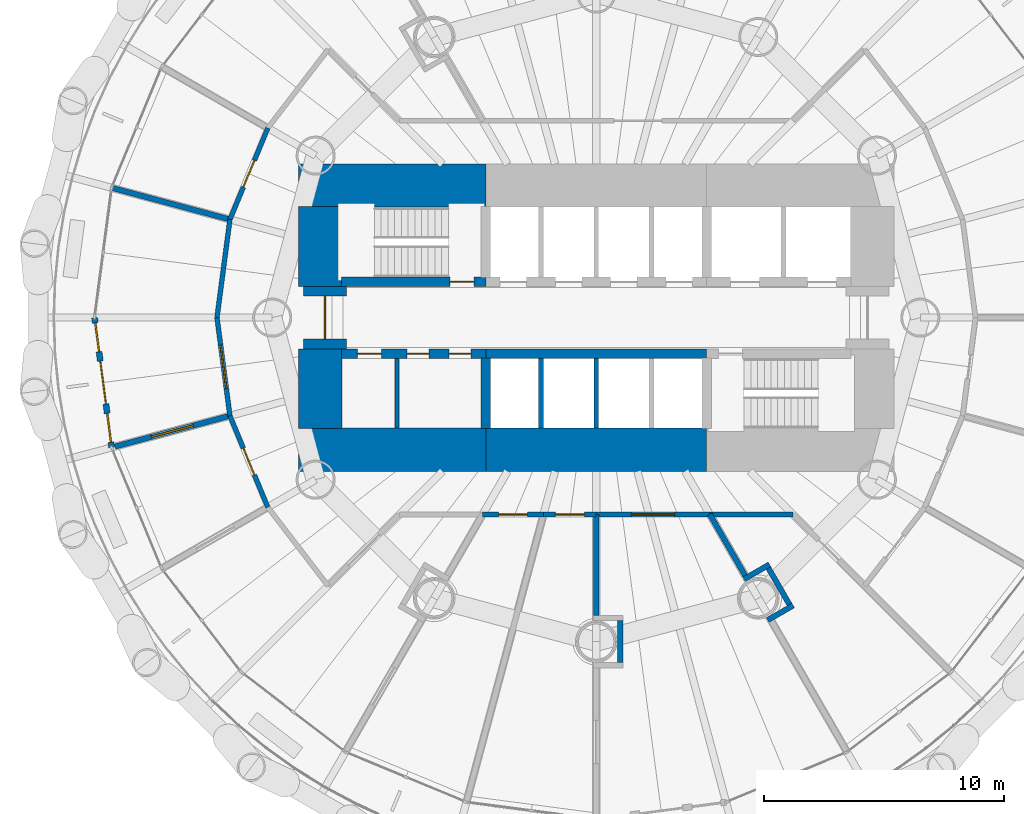
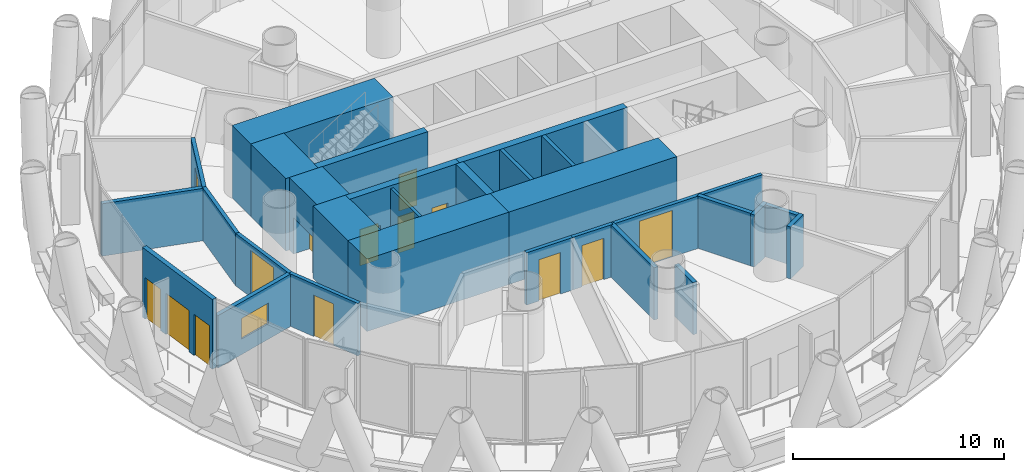
# One storey, part 10 of 15: 30 walls, 12 doors, 3 windows, 15 openings.
"""IFC4 building model written with IfcOpenShell, lengths in metres."""

from ifc_helpers import new_model, si_unit, direction, frame, frame_2d, origin, place, context, subcontext, project, spatial, rectangle, extrude, material, layer, layer_set, type_object, element, fill, save


model = new_model("IFC4")

# Units and contexts
model_context = context("Model", 3, precision=1e-05, world=origin(), true_north=direction((0.0, 1.0)))
body_context = subcontext(model_context, "Body", "Model", "MODEL_VIEW")
ifc_project = project(units=[si_unit("LENGTHUNIT", "METRE"), si_unit("AREAUNIT", "SQUARE_METRE"), si_unit("VOLUMEUNIT", "CUBIC_METRE"), si_unit("PLANEANGLEUNIT", "RADIAN"), si_unit("MASSUNIT", "GRAM", prefix="KILO")], contexts=[model_context])

# Site, building, storey
site_placement = place(None, origin())
site = spatial("IfcSite", under=ifc_project, at=site_placement, CompositionType="ELEMENT")
building_placement = place(site_placement, origin())
building = spatial("IfcBuilding", under=site, at=building_placement, Name="Qaws Media Tower", CompositionType="ELEMENT")
storey_placement = place(building_placement, frame((0.0, 0.0, 30.199951171875)))
storey = spatial("IfcBuildingStorey", under=building, at=storey_placement, Name="L05", CompositionType="ELEMENT", Elevation=30.199951171875)

# Wall
ifc_material_1 = material(Name="Twin metal stud frames, two layers gypsum board each side, insulated, Rw 55", Category="gypsum")
ifc_layer_1 = layer(ifc_material_1, 0.22509765625)
ifc_layer_set_1 = layer_set([ifc_layer_1], Name="Acoustic twin-stud partition 225 Rw 55")
wall_type_1 = type_object("IfcWallType", Name="Acoustic twin-stud partition 225 Rw 55", PredefinedType="PARTITIONING", material=ifc_layer_set_1)
wall_1_placement = place(storey_placement, frame((44.73828125, 54.08935546875, 0.0), z_axis=(0.0, 0.0, 1.0), x_axis=(-0.965926729572, 0.258815673981, 0.0)))
element("IfcWall", 1, at=wall_1_placement, inside=storey, type_object=wall_type_1, Name="W002 IW6 partition L05", PredefinedType="PARTITIONING", context=body_context, shape_type="SweptSolid", body=[
    extrude(rectangle(XDim=5.059814453125, YDim=0.22509765625, at=frame_2d((2.52978515625, 0.0))), origin(), (0.0, 0.0, 1.0), 3.0400390625),
])

# Wall, opening, window
wall_2_placement = place(storey_placement, frame((44.73828125, 45.91064453125, 0.0), z_axis=(0.0, 0.0, 1.0), x_axis=(-0.965925420227, -0.258820560544, 0.0)))
wall_2 = element("IfcWall", 2, at=wall_2_placement, inside=storey, type_object=wall_type_1, Name="W001 IW6 partition L05", PredefinedType="PARTITIONING", context=body_context, shape_type="SweptSolid", body=[
    extrude(rectangle(XDim=4.959716796875, YDim=0.22509765625, at=frame_2d((2.47998046875, 0.0))), origin(), (0.0, 0.0, 1.0), 3.0400390625),
])
opening_1_placement = place(wall_2_placement, frame((1.580078125, 0.0, 0.89990234375)))
opening_1 = element("IfcOpeningElement", 3, at=opening_1_placement, cuts=wall_2, Name="Opening W8", PredefinedType="OPENING", context=body_context, shape_type="SweptSolid", body=[
    extrude(rectangle(XDim=1.800048828125, YDim=1.199951171875, at=frame_2d((0.89990234375, 0.60009765625))), frame((0.0, 0.12255859375, 0.0), z_axis=(0.0, -1.0, 0.0), x_axis=(1.0, 0.0, 0.0)), (0.0, 0.0, 1.0), 0.2451171875),
])
ifc_material_2 = material(Name="Laminated acoustic double glazing, Rw 50, in steel frame", Category="steel")
window_type_1 = type_object("IfcWindowType", Name="Control room observation window 1800x1200", PartitioningType="SINGLE_PANEL", PredefinedType="WINDOW", material=ifc_material_2)
window_1_placement = place(opening_1_placement, origin())
window_1 = element("IfcWindow", 4, at=window_1_placement, inside=storey, type_object=window_type_1, Name="W8 control room observation window L05", OverallHeight=1.199951171875, OverallWidth=1.800048828125, PartitioningType="SINGLE_PANEL", PredefinedType="WINDOW", context=body_context, shape_type="SweptSolid", body=[
    extrude(rectangle(XDim=1.800048828125, YDim=1.199951171875, at=frame_2d((0.89990234375, 0.60009765625))), frame((0.0, 0.030029296875, 0.0), z_axis=(0.0, -1.0, 0.0), x_axis=(1.0, 0.0, 0.0)), (0.0, 0.0, 1.0), 0.06005859375),
])
fill(opening_1, window_1)

# Walls
wall_3_placement = place(storey_placement, frame((60.99560546875, 37.373046875, 0.0), z_axis=(0.0, 0.0, 1.0), x_axis=(0.0, -1.0, 0.0)))
element("IfcWall", 5, at=wall_3_placement, inside=storey, type_object=wall_type_1, Name="W015 IW6 partition return L05", PredefinedType="PARTITIONING", context=body_context, shape_type="SweptSolid", body=[
    extrude(rectangle(XDim=1.74609375, YDim=0.22509765625, at=frame_2d((0.873046875, 0.0))), origin(), (0.0, 0.0, 1.0), 3.02001953125),
])
wall_4_placement = place(storey_placement, frame((60.0, 41.800048828125, 0.0), z_axis=(0.0, 0.0, 1.0), x_axis=(0.0, -1.0, 0.0)))
element("IfcWall", 6, at=wall_4_placement, inside=storey, type_object=wall_type_1, Name="W014 IW6 partition L05", PredefinedType="PARTITIONING", context=body_context, shape_type="SweptSolid", body=[
    extrude(rectangle(XDim=4.2021484375, YDim=0.22509765625, at=frame_2d((2.10107421875, 0.0))), origin(), (0.0, 0.0, 1.0), 3.0400390625),
])
wall_5_placement = place(storey_placement, frame((66.159912109375, 39.10595703125, 0.0), z_axis=(0.0, 0.0, 1.0), x_axis=(0.866055662726, 0.499947586314, 0.0)))
element("IfcWall", 7, at=wall_5_placement, inside=storey, type_object=wall_type_1, Name="W017 IW6 partition return L05", PredefinedType="PARTITIONING", context=body_context, shape_type="SweptSolid", body=[
    extrude(rectangle(XDim=1.220458984375, YDim=0.22509765625, at=frame_2d((0.6103515625, 0.0))), origin(), (0.0, 0.0, 1.0), 3.02001953125),
])
wall_6_placement = place(storey_placement, frame((67.145263671875, 37.39892578125, 0.0), z_axis=(0.0, 0.0, 1.0), x_axis=(0.866019052629, 0.500011000363, 0.0)))
element("IfcWall", 8, at=wall_6_placement, inside=storey, type_object=wall_type_1, Name="W018 IW6 partition return L05", PredefinedType="PARTITIONING", context=body_context, shape_type="SweptSolid", body=[
    extrude(rectangle(XDim=1.220703125, YDim=0.22509765625, at=frame_2d((0.6103515625, 0.0))), origin(), (0.0, 0.0, 1.0), 3.02001953125),
])
wall_7_placement = place(storey_placement, frame((67.175537109375, 39.5625, 0.0), z_axis=(0.0, 0.0, 1.0), x_axis=(0.499988720078, -0.866031916153, 0.0)))
element("IfcWall", 9, at=wall_7_placement, inside=storey, type_object=wall_type_1, Name="W019 IW6 partition return L05", PredefinedType="PARTITIONING", context=body_context, shape_type="SweptSolid", body=[
    extrude(rectangle(XDim=1.74609375, YDim=0.22509765625, at=frame_2d((0.873046875, 0.0))), origin(), (0.0, 0.0, 1.0), 3.02001953125),
])
wall_8_placement = place(storey_placement, frame((64.72998046875, 41.807373046875, 0.0), z_axis=(0.0, 0.0, 1.0), x_axis=(0.49998584623, -0.866033575313, 0.0)))
element("IfcWall", 10, at=wall_8_placement, inside=storey, type_object=wall_type_1, Name="W016 IW6 partition L05", PredefinedType="PARTITIONING", context=body_context, shape_type="SweptSolid", body=[
    extrude(rectangle(XDim=2.94189453125, YDim=0.22509765625, at=frame_2d((1.470947265625, 0.0))), origin(), (0.0, 0.0, 1.0), 3.0400390625),
])

# Wall, openings, door, windows
ifc_material_3 = material(Name="Precast concrete, exposed finish", Category="concrete")
ifc_layer_2 = layer(ifc_material_3, 0.25)
ifc_layer_set_2 = layer_set([ifc_layer_2], Name="Balcony door wall 250")
wall_type_2 = type_object("IfcWallType", Name="Balcony door wall 250", PredefinedType="SOLIDWALL", material=ifc_layer_set_2)
wall_9_placement = place(storey_placement, frame((39.10009765625, 50.0, 0.0), z_axis=(0.0, 0.0, 1.0), x_axis=(0.130525119492, -0.991445002601, 0.0)))
wall_9 = element("IfcWall", 11, at=wall_9_placement, inside=storey, type_object=wall_type_2, Name="W109 EW1 balcony door wall L05-13", PredefinedType="SOLIDWALL", context=body_context, shape_type="SweptSolid", body=[
    extrude(rectangle(XDim=5.4560546875, YDim=0.25, at=frame_2d((2.72802734375, 0.0))), origin(), (0.0, 0.0, 1.0), 4.0400390625),
])
opening_2_placement = place(wall_9_placement, frame((1.827880859375, 0.0, 0.0)))
opening_2 = element("IfcOpeningElement", 12, at=opening_2_placement, cuts=wall_9, Name="Opening D7", PredefinedType="OPENING", context=body_context, shape_type="SweptSolid", body=[
    extrude(rectangle(XDim=1.800048828125, YDim=2.39990234375, at=frame_2d((0.89990234375, 1.199951171875))), frame((0.0, 0.135009765625, 0.0), z_axis=(0.0, -1.0, 0.0), x_axis=(1.0, 0.0, 0.0)), (0.0, 0.0, 1.0), 0.27001953125),
])
opening_3_placement = place(wall_9_placement, frame((0.22802734375, 0.0, 0.0)))
opening_3 = element("IfcOpeningElement", 13, at=opening_3_placement, cuts=wall_9, Name="Opening W1", PredefinedType="OPENING", context=body_context, shape_type="SweptSolid", body=[
    extrude(rectangle(XDim=1.199951171875, YDim=2.39990234375, at=frame_2d((0.60009765625, 1.199951171875))), frame((0.0, 0.135009765625, 0.0), z_axis=(0.0, -1.0, 0.0), x_axis=(1.0, 0.0, 0.0)), (0.0, 0.0, 1.0), 0.27001953125),
])
opening_4_placement = place(wall_9_placement, frame((4.028076171875, 0.0, 0.0)))
opening_4 = element("IfcOpeningElement", 14, at=opening_4_placement, cuts=wall_9, Name="Opening W1", PredefinedType="OPENING", context=body_context, shape_type="SweptSolid", body=[
    extrude(rectangle(XDim=1.199951171875, YDim=2.39990234375, at=frame_2d((0.60009765625, 1.199951171875))), frame((0.0, 0.135009765625, 0.0), z_axis=(0.0, -1.0, 0.0), x_axis=(1.0, 0.0, 0.0)), (0.0, 0.0, 1.0), 0.27001953125),
])
ifc_material_4 = material(Name="Aluminium and clear glass", Category="aluminium")
door_type_1 = type_object("IfcDoorType", Name="Balcony door pair 1800", OperationType="DOUBLE_DOOR_SLIDING", PredefinedType="DOOR", material=ifc_material_4)
door_1_placement = place(opening_2_placement, origin())
door_1 = element("IfcDoor", 15, at=door_1_placement, inside=storey, type_object=door_type_1, Name="D7 balcony door L05-13 in wall W109", OperationType="DOUBLE_DOOR_SLIDING", OverallHeight=2.39990234375, OverallWidth=1.800048828125, PredefinedType="DOOR", context=body_context, shape_type="SweptSolid", body=[
    extrude(rectangle(XDim=1.800048828125, YDim=2.39990234375, at=frame_2d((0.89990234375, 1.199951171875))), frame((0.0, 0.02490234375, 0.0), z_axis=(0.0, -1.0, 0.0), x_axis=(1.0, 0.0, 0.0)), (0.0, 0.0, 1.0), 0.050048828125),
])
fill(opening_2, door_1)
ifc_material_5 = material(Name="Aluminium and clear glass", Category="aluminium")
window_type_2 = type_object("IfcWindowType", Name="Balcony side window 1200", PartitioningType="SINGLE_PANEL", PredefinedType="WINDOW", material=ifc_material_5)
window_2_placement = place(opening_3_placement, origin())
window_2 = element("IfcWindow", 16, at=window_2_placement, inside=storey, type_object=window_type_2, Name="W1 balcony side light L05-13L", OverallHeight=2.39990234375, OverallWidth=1.199951171875, PartitioningType="SINGLE_PANEL", PredefinedType="WINDOW", context=body_context, shape_type="SweptSolid", body=[
    extrude(rectangle(XDim=1.199951171875, YDim=2.39990234375, at=frame_2d((0.60009765625, 1.199951171875))), frame((0.0, 0.030029296875, 0.0), z_axis=(0.0, -1.0, 0.0), x_axis=(1.0, 0.0, 0.0)), (0.0, 0.0, 1.0), 0.06005859375),
])
fill(opening_3, window_2)
window_3_placement = place(opening_4_placement, origin())
window_3 = element("IfcWindow", 17, at=window_3_placement, inside=storey, type_object=window_type_2, Name="W1 balcony side light L05-13R", OverallHeight=2.39990234375, OverallWidth=1.199951171875, PartitioningType="SINGLE_PANEL", PredefinedType="WINDOW", context=body_context, shape_type="SweptSolid", body=[
    extrude(rectangle(XDim=1.199951171875, YDim=2.39990234375, at=frame_2d((0.60009765625, 1.199951171875))), frame((0.0, 0.030029296875, 0.0), z_axis=(0.0, -1.0, 0.0), x_axis=(1.0, 0.0, 0.0)), (0.0, 0.0, 1.0), 0.06005859375),
])
fill(opening_4, window_3)

# Wall, opening, door
ifc_material_6 = material(Name="Concrete C60/75", Category="concrete")
ifc_layer_3 = layer(ifc_material_6, 0.39990234375)
ifc_layer_set_3 = layer_set([ifc_layer_3], Name="Core inner wall 400")
wall_type_3 = type_object("IfcWallType", Name="Core inner wall 400", PredefinedType="SHEAR", material=ifc_layer_set_3)
wall_10_placement = place(storey_placement, frame((49.3798828125, 51.5, 0.0), z_axis=(0.0, 0.0, 1.0), x_axis=(1.0, 0.0, 0.0)))
wall_10 = element("IfcWall", 18, at=wall_10_placement, inside=storey, type_object=wall_type_3, Name="W311 SW4 core wall SPNW L05", PredefinedType="SHEAR", context=body_context, shape_type="SweptSolid", body=[
    extrude(rectangle(XDim=6.02001953125, YDim=0.39990234375, at=frame_2d((3.010009765625, 0.0))), origin(), (0.0, 0.0, 1.0), 4.199951171875),
])
opening_5_placement = place(wall_10_placement, frame((4.52001953125, 0.0, 0.0)))
opening_5 = element("IfcOpeningElement", 19, at=opening_5_placement, cuts=wall_10, Name="Opening D1", PredefinedType="OPENING", context=body_context, shape_type="SweptSolid", body=[
    extrude(rectangle(XDim=1.0, YDim=2.10009765625, at=frame_2d((0.5, 1.050048828125))), frame((0.0, 0.2099609375, 0.0), z_axis=(0.0, -1.0, 0.0), x_axis=(1.0, 0.0, 0.0)), (0.0, 0.0, 1.0), 0.419921875),
])
ifc_material_7 = material(Name="Steel, fire rated", Category="steel")
door_type_2 = type_object("IfcDoorType", Name="Stair door 1000 FD120", OperationType="SINGLE_SWING_LEFT", PredefinedType="DOOR", material=ifc_material_7)
door_2_placement = place(opening_5_placement, origin())
door_2 = element("IfcDoor", 20, at=door_2_placement, inside=storey, type_object=door_type_2, Name="D1 stair S1 door L05 in wall W311", OperationType="SINGLE_SWING_LEFT", OverallHeight=2.10009765625, OverallWidth=1.0, PredefinedType="DOOR", context=body_context, shape_type="SweptSolid", body=[
    extrude(rectangle(XDim=1.0, YDim=2.10009765625, at=frame_2d((0.5, 1.050048828125))), frame((0.0, 0.02490234375, 0.0), z_axis=(0.0, -1.0, 0.0), x_axis=(1.0, 0.0, 0.0)), (0.0, 0.0, 1.0), 0.050048828125),
])
fill(opening_5, door_2)

# Wall, openings, doors
wall_11_placement = place(storey_placement, frame((49.3798828125, 48.5, 0.0), z_axis=(0.0, 0.0, 1.0), x_axis=(1.0, 0.0, 0.0)))
wall_11 = element("IfcWall", 21, at=wall_11_placement, inside=storey, type_object=wall_type_3, Name="W310 SW4 core wall SPSW L05", PredefinedType="SHEAR", context=body_context, shape_type="SweptSolid", body=[
    extrude(rectangle(XDim=6.02001953125, YDim=0.39990234375, at=frame_2d((3.010009765625, 0.0))), origin(), (0.0, 0.0, 1.0), 4.199951171875),
])
opening_6_placement = place(wall_11_placement, frame((0.669921875, 0.0, 0.0)))
opening_6 = element("IfcOpeningElement", 22, at=opening_6_placement, cuts=wall_11, Name="Opening D4", PredefinedType="OPENING", context=body_context, shape_type="SweptSolid", body=[
    extrude(rectangle(XDim=1.0, YDim=2.10009765625, at=frame_2d((0.5, 1.050048828125))), frame((0.0, 0.2099609375, 0.0), z_axis=(0.0, -1.0, 0.0), x_axis=(1.0, 0.0, 0.0)), (0.0, 0.0, 1.0), 0.419921875),
])
opening_7_placement = place(wall_11_placement, frame((2.7451171875, 0.0, 0.0)))
opening_7 = element("IfcOpeningElement", 23, at=opening_7_placement, cuts=wall_11, Name="Opening D3", PredefinedType="OPENING", context=body_context, shape_type="SweptSolid", body=[
    extrude(rectangle(XDim=0.89990234375, YDim=2.10009765625, at=frame_2d((0.449951171875, 1.050048828125))), frame((0.0, 0.2099609375, 0.0), z_axis=(0.0, -1.0, 0.0), x_axis=(1.0, 0.0, 0.0)), (0.0, 0.0, 1.0), 0.419921875),
])
opening_8_placement = place(wall_11_placement, frame((4.4951171875, 0.0, 0.0)))
opening_8 = element("IfcOpeningElement", 24, at=opening_8_placement, cuts=wall_11, Name="Opening D3", PredefinedType="OPENING", context=body_context, shape_type="SweptSolid", body=[
    extrude(rectangle(XDim=0.89990234375, YDim=2.10009765625, at=frame_2d((0.449951171875, 1.050048828125))), frame((0.0, 0.2099609375, 0.0), z_axis=(0.0, -1.0, 0.0), x_axis=(1.0, 0.0, 0.0)), (0.0, 0.0, 1.0), 0.419921875),
])
ifc_material_8 = material(Name="Timber veneered", Category="wood")
door_type_3 = type_object("IfcDoorType", Name="Accessible WC door 1000", OperationType="SLIDING_TO_LEFT", PredefinedType="DOOR", material=ifc_material_8)
door_3_placement = place(opening_6_placement, origin())
door_3 = element("IfcDoor", 25, at=door_3_placement, inside=storey, type_object=door_type_3, Name="D4 toilet door 1 L05 in wall W310", OperationType="SLIDING_TO_LEFT", OverallHeight=2.10009765625, OverallWidth=1.0, PredefinedType="DOOR", context=body_context, shape_type="SweptSolid", body=[
    extrude(rectangle(XDim=1.0, YDim=2.10009765625, at=frame_2d((0.5, 1.050048828125))), frame((0.0, 0.02490234375, 0.0), z_axis=(0.0, -1.0, 0.0), x_axis=(1.0, 0.0, 0.0)), (0.0, 0.0, 1.0), 0.050048828125),
])
fill(opening_6, door_3)
ifc_material_9 = material(Name="Timber veneered", Category="wood")
door_type_4 = type_object("IfcDoorType", Name="Toilet door 900", OperationType="SINGLE_SWING_RIGHT", PredefinedType="DOOR", material=ifc_material_9)
door_4_placement = place(opening_7_placement, origin())
door_4 = element("IfcDoor", 26, at=door_4_placement, inside=storey, type_object=door_type_4, Name="D3 toilet door 2 L05 in wall W310", OperationType="SINGLE_SWING_RIGHT", OverallHeight=2.10009765625, OverallWidth=0.89990234375, PredefinedType="DOOR", context=body_context, shape_type="SweptSolid", body=[
    extrude(rectangle(XDim=0.89990234375, YDim=2.10009765625, at=frame_2d((0.449951171875, 1.050048828125))), frame((0.0, 0.02490234375, 0.0), z_axis=(0.0, -1.0, 0.0), x_axis=(1.0, 0.0, 0.0)), (0.0, 0.0, 1.0), 0.050048828125),
])
fill(opening_7, door_4)
door_5_placement = place(opening_8_placement, origin())
door_5 = element("IfcDoor", 27, at=door_5_placement, inside=storey, type_object=door_type_4, Name="D3 toilet door 3 L05 in wall W310", OperationType="SINGLE_SWING_RIGHT", OverallHeight=2.10009765625, OverallWidth=0.89990234375, PredefinedType="DOOR", context=body_context, shape_type="SweptSolid", body=[
    extrude(rectangle(XDim=0.89990234375, YDim=2.10009765625, at=frame_2d((0.449951171875, 1.050048828125))), frame((0.0, 0.02490234375, 0.0), z_axis=(0.0, -1.0, 0.0), x_axis=(1.0, 0.0, 0.0)), (0.0, 0.0, 1.0), 0.050048828125),
])
fill(opening_8, door_5)

# Walls
wall_12_placement = place(storey_placement, frame((55.39990234375, 48.5, 0.0), z_axis=(0.0, 0.0, 1.0), x_axis=(1.0, 0.0, 0.0)))
element("IfcWall", 28, at=wall_12_placement, inside=storey, type_object=wall_type_3, Name="W313 SW4 core wall SPS L05", PredefinedType="SHEAR", context=body_context, shape_type="SweptSolid", body=[
    extrude(rectangle(XDim=9.2001953125, YDim=0.39990234375, at=frame_2d((4.60009765625, 0.0))), origin(), (0.0, 0.0, 1.0), 4.199951171875),
])
wall_13_placement = place(storey_placement, frame((55.39990234375, 48.320068359375, 0.0), z_axis=(0.0, 0.0, 1.0), x_axis=(0.0, -1.0, 0.0)))
element("IfcWall", 29, at=wall_13_placement, inside=storey, type_object=wall_type_3, Name="W312 SW4 core wall XSW L05", PredefinedType="SHEAR", context=body_context, shape_type="SweptSolid", body=[
    extrude(rectangle(XDim=2.940185546875, YDim=0.39990234375, at=frame_2d((1.47021484375, 0.0))), origin(), (0.0, 0.0, 1.0), 4.199951171875),
])
ifc_material_10 = material(Name="Concrete C60/75", Category="concrete")
ifc_layer_4 = layer(ifc_material_10, 1.800048828125)
ifc_layer_set_4 = layer_set([ifc_layer_4], Name="Core wall 1800")
wall_type_4 = type_object("IfcWallType", Name="Core wall 1800", PredefinedType="SHEAR", material=ifc_layer_set_4)
for number, where, z_axis, x_axis, name in (
    (30, (47.60009765625, 55.5, 0.0), (0.0, 0.0, 1.0), (1.0, 0.0, 0.0), "W399 SW11 core wall NW L05"),
    (31, (47.60009765625, 44.5, 0.0), (0.0, 0.0, 1.0), (1.0, 0.0, 0.0), "W398 SW11 core wall SW L05"),
):
    element("IfcWall", number, at=place(storey_placement, frame(where, z_axis=z_axis, x_axis=x_axis)), inside=storey, type_object=wall_type_4, Name=name, PredefinedType="SHEAR", context=body_context, shape_type="SweptSolid", body=[
        extrude(rectangle(XDim=7.7998046875, YDim=1.800048828125, at=frame_2d((3.89990234375, 0.0))), origin(), (0.0, 0.0, 1.0), 4.199951171875),
    ])
wall_14_placement = place(storey_placement, frame((55.39990234375, 44.5, 0.0), z_axis=(0.0, 0.0, 1.0), x_axis=(1.0, 0.0, 0.0)))
element("IfcWall", 32, at=wall_14_placement, inside=storey, type_object=wall_type_4, Name="W403 SW11 core wall S L05", PredefinedType="SHEAR", context=body_context, shape_type="SweptSolid", body=[
    extrude(rectangle(XDim=9.2001953125, YDim=1.800048828125, at=frame_2d((4.60009765625, 0.0))), origin(), (0.0, 0.0, 1.0), 4.199951171875),
])
wall_15_placement = place(storey_placement, frame((48.5, 45.3798828125, 0.0), z_axis=(0.0, 0.0, 1.0), x_axis=(0.0, 1.0, 0.0)))
element("IfcWall", 33, at=wall_15_placement, inside=storey, type_object=wall_type_4, Name="W410 SW11 core wall WS L05", PredefinedType="SHEAR", context=body_context, shape_type="SweptSolid", body=[
    extrude(rectangle(XDim=3.320068359375, YDim=1.800048828125, at=frame_2d((1.66015625, 0.0))), origin(), (0.0, 0.0, 1.0), 4.199951171875),
])

# Wall, opening, door
wall_16_placement = place(storey_placement, frame((48.699951171875, 48.699951171875, 0.0), z_axis=(0.0, 0.0, 1.0), x_axis=(0.0, 1.0, 0.0)))
wall_16 = element("IfcWall", 34, at=wall_16_placement, inside=storey, type_object=wall_type_4, Name="W412 SW11 core wall W L05", PredefinedType="SHEAR", context=body_context, shape_type="SweptSolid", body=[
    extrude(rectangle(XDim=2.60009765625, YDim=1.800048828125, at=frame_2d((1.300048828125, 0.0))), origin(), (0.0, 0.0, 1.0), 4.199951171875),
])
opening_9_placement = place(wall_16_placement, frame((0.39990234375, 0.0, 0.0)))
opening_9 = element("IfcOpeningElement", 35, at=opening_9_placement, cuts=wall_16, Name="Opening D2", PredefinedType="OPENING", context=body_context, shape_type="SweptSolid", body=[
    extrude(rectangle(XDim=1.800048828125, YDim=2.10009765625, at=frame_2d((0.89990234375, 1.050048828125))), frame((0.0, 0.909912109375, 0.0), z_axis=(0.0, -1.0, 0.0), x_axis=(1.0, 0.0, 0.0)), (0.0, 0.0, 1.0), 1.820068359375),
])
ifc_material_11 = material(Name="Steel and glass, fire rated", Category="steel")
door_type_5 = type_object("IfcDoorType", Name="Lobby door pair 1800 FD60", OperationType="DOUBLE_DOOR_DOUBLE_SWING", PredefinedType="DOOR", material=ifc_material_11)
door_6_placement = place(opening_9_placement, origin())
door_6 = element("IfcDoor", 36, at=door_6_placement, inside=storey, type_object=door_type_5, Name="D2 core lobby door W L05 in wall W412", OperationType="DOUBLE_DOOR_DOUBLE_SWING", OverallHeight=2.10009765625, OverallWidth=1.800048828125, PredefinedType="DOOR", context=body_context, shape_type="SweptSolid", body=[
    extrude(rectangle(XDim=1.800048828125, YDim=2.10009765625, at=frame_2d((0.89990234375, 1.050048828125))), frame((0.0, 0.02490234375, 0.0), z_axis=(0.0, -1.0, 0.0), x_axis=(1.0, 0.0, 0.0)), (0.0, 0.0, 1.0), 0.050048828125),
])
fill(opening_9, door_6)

# Wall
wall_17_placement = place(storey_placement, frame((48.5, 51.300048828125, 0.0), z_axis=(0.0, 0.0, 1.0), x_axis=(0.0, 1.0, 0.0)))
element("IfcWall", 37, at=wall_17_placement, inside=storey, type_object=wall_type_4, Name="W411 SW11 core wall WN L05", PredefinedType="SHEAR", context=body_context, shape_type="SweptSolid", body=[
    extrude(rectangle(XDim=3.320068359375, YDim=1.800048828125, at=frame_2d((1.66015625, 0.0))), origin(), (0.0, 0.0, 1.0), 4.199951171875),
])

# Wall, opening, door
ifc_material_12 = material(Name="Gypsum board on galvanised metal studs, acoustic double stud, deflection head", Category="gypsum")
ifc_layer_5 = layer(ifc_material_12, 0.199951171875)
ifc_layer_set_5 = layer_set([ifc_layer_5], Name="Room partition 200")
wall_type_5 = type_object("IfcWallType", Name="Room partition 200", PredefinedType="PARTITIONING", material=ifc_layer_set_5)
wall_18_placement = place(storey_placement, frame((46.31689453125, 42.10009765625, 0.0), z_axis=(0.0, 0.0, 1.0), x_axis=(-0.382731667114, 0.923859551549, 0.0)))
wall_18 = element("IfcWall", 38, at=wall_18_placement, inside=storey, type_object=wall_type_5, Name="W946 IW3 partition L05", PredefinedType="PARTITIONING", context=body_context, shape_type="SweptSolid", body=[
    extrude(rectangle(XDim=4.12451171875, YDim=0.199951171875, at=frame_2d((2.062255859375, 0.0))), origin(), (0.0, 0.0, 1.0), 3.0400390625),
])
opening_10_placement = place(wall_18_placement, frame((1.46240234375, 0.0, 0.0)))
opening_10 = element("IfcOpeningElement", 39, at=opening_10_placement, cuts=wall_18, Name="Opening D14", PredefinedType="OPENING", context=body_context, shape_type="SweptSolid", body=[
    extrude(rectangle(XDim=1.199951171875, YDim=2.39990234375, at=frame_2d((0.60009765625, 1.199951171875))), frame((0.0, 0.10986328125, 0.0), z_axis=(0.0, -1.0, 0.0), x_axis=(1.0, 0.0, 0.0)), (0.0, 0.0, 1.0), 0.219970703125),
])
ifc_material_13 = material(Name="Steel acoustic door set, Rw 45", Category="steel")
door_type_6 = type_object("IfcDoorType", Name="Acoustic door 1200x2400 Rw 45", OperationType="SINGLE_SWING_LEFT", PredefinedType="DOOR", material=ifc_material_13)
door_7_placement = place(opening_10_placement, origin())
door_7 = element("IfcDoor", 40, at=door_7_placement, inside=storey, type_object=door_type_6, Name="D14 Control room door L05 in wall W946", OperationType="SINGLE_SWING_LEFT", OverallHeight=2.39990234375, OverallWidth=1.199951171875, PredefinedType="DOOR", context=body_context, shape_type="SweptSolid", body=[
    extrude(rectangle(XDim=1.199951171875, YDim=2.39990234375, at=frame_2d((0.60009765625, 1.199951171875))), frame((0.0, 0.02490234375, 0.0), z_axis=(0.0, -1.0, 0.0), x_axis=(1.0, 0.0, 0.0)), (0.0, 0.0, 1.0), 0.050048828125),
])
fill(opening_10, door_7)

wall_19_placement = place(storey_placement, frame((44.73828125, 45.91064453125, 0.0), z_axis=(0.0, 0.0, 1.0), x_axis=(-0.130515758099, 0.991446234996, 0.0)))
wall_19 = element("IfcWall", 41, at=wall_19_placement, inside=storey, type_object=wall_type_5, Name="W943 IW3 partition L05", PredefinedType="PARTITIONING", context=body_context, shape_type="SweptSolid", body=[
    extrude(rectangle(XDim=4.124755859375, YDim=0.199951171875, at=frame_2d((2.0625, 0.0))), origin(), (0.0, 0.0, 1.0), 3.0400390625),
])
opening_11_placement = place(wall_19_placement, frame((1.162353515625, 0.0, 0.0)))
opening_11 = element("IfcOpeningElement", 42, at=opening_11_placement, cuts=wall_19, Name="Opening D15", PredefinedType="OPENING", context=body_context, shape_type="SweptSolid", body=[
    extrude(rectangle(XDim=1.800048828125, YDim=2.699951171875, at=frame_2d((0.89990234375, 1.35009765625))), frame((0.0, 0.10986328125, 0.0), z_axis=(0.0, -1.0, 0.0), x_axis=(1.0, 0.0, 0.0)), (0.0, 0.0, 1.0), 0.219970703125),
])
ifc_material_14 = material(Name="Steel acoustic door set, Rw 50", Category="steel")
door_type_7 = type_object("IfcDoorType", Name="Studio acoustic door pair 1800x2700 Rw 50", OperationType="DOUBLE_DOOR_DOUBLE_SWING", PredefinedType="DOOR", material=ifc_material_14)
door_8_placement = place(opening_11_placement, origin())
door_8 = element("IfcDoor", 43, at=door_8_placement, inside=storey, type_object=door_type_7, Name="D15 Radio studio door L05 in wall W943", OperationType="DOUBLE_DOOR_DOUBLE_SWING", OverallHeight=2.699951171875, OverallWidth=1.800048828125, PredefinedType="DOOR", context=body_context, shape_type="SweptSolid", body=[
    extrude(rectangle(XDim=1.800048828125, YDim=2.699951171875, at=frame_2d((0.89990234375, 1.35009765625))), frame((0.0, 0.02490234375, 0.0), z_axis=(0.0, -1.0, 0.0), x_axis=(1.0, 0.0, 0.0)), (0.0, 0.0, 1.0), 0.050048828125),
])
fill(opening_11, door_8)

# Wall
wall_20_placement = place(storey_placement, frame((44.199951171875, 50.0, 0.0), z_axis=(0.0, 0.0, 1.0), x_axis=(0.130515758099, 0.991446234996, 0.0)))
element("IfcWall", 44, at=wall_20_placement, inside=storey, type_object=wall_type_5, Name="W941 IW3 partition L05", PredefinedType="PARTITIONING", context=body_context, shape_type="SweptSolid", body=[
    extrude(rectangle(XDim=4.124755859375, YDim=0.199951171875, at=frame_2d((2.0625, 0.0))), origin(), (0.0, 0.0, 1.0), 3.0400390625),
])

# Wall, opening, door
wall_21_placement = place(storey_placement, frame((44.73828125, 54.08935546875, 0.0), z_axis=(0.0, 0.0, 1.0), x_axis=(0.382731667114, 0.923859551549, 0.0)))
wall_21 = element("IfcWall", 45, at=wall_21_placement, inside=storey, type_object=wall_type_5, Name="W944 IW3 partition L05", PredefinedType="PARTITIONING", context=body_context, shape_type="SweptSolid", body=[
    extrude(rectangle(XDim=4.12451171875, YDim=0.199951171875, at=frame_2d((2.062255859375, 0.0))), origin(), (0.0, 0.0, 1.0), 3.0400390625),
])
opening_12_placement = place(wall_21_placement, frame((1.46240234375, 0.0, 0.0)))
opening_12 = element("IfcOpeningElement", 46, at=opening_12_placement, cuts=wall_21, Name="Opening D14", PredefinedType="OPENING", context=body_context, shape_type="SweptSolid", body=[
    extrude(rectangle(XDim=1.199951171875, YDim=2.39990234375, at=frame_2d((0.60009765625, 1.199951171875))), frame((0.0, 0.10986328125, 0.0), z_axis=(0.0, -1.0, 0.0), x_axis=(1.0, 0.0, 0.0)), (0.0, 0.0, 1.0), 0.219970703125),
])
door_9_placement = place(opening_12_placement, origin())
door_9 = element("IfcDoor", 47, at=door_9_placement, inside=storey, type_object=door_type_6, Name="D14 Podcast booth door L05 in wall W944", OperationType="SINGLE_SWING_LEFT", OverallHeight=2.39990234375, OverallWidth=1.199951171875, PredefinedType="DOOR", context=body_context, shape_type="SweptSolid", body=[
    extrude(rectangle(XDim=1.199951171875, YDim=2.39990234375, at=frame_2d((0.60009765625, 1.199951171875))), frame((0.0, 0.02490234375, 0.0), z_axis=(0.0, -1.0, 0.0), x_axis=(1.0, 0.0, 0.0)), (0.0, 0.0, 1.0), 0.050048828125),
])
fill(opening_12, door_9)

# Wall
wall_22_placement = place(storey_placement, frame((68.199951171875, 41.800048828125, 0.0), z_axis=(0.0, 0.0, 1.0), x_axis=(-1.0, 0.0, 0.0)))
element("IfcWall", 48, at=wall_22_placement, inside=storey, type_object=wall_type_5, Name="W974 IW3 partition L05", PredefinedType="PARTITIONING", context=body_context, shape_type="SweptSolid", body=[
    extrude(rectangle(XDim=3.465576171875, YDim=0.199951171875, at=frame_2d((1.73291015625, 0.0))), origin(), (0.0, 0.0, 1.0), 3.0400390625),
])

# Wall, opening, door
wall_23_placement = place(storey_placement, frame((64.734375, 41.800048828125, 0.0), z_axis=(0.0, 0.0, 1.0), x_axis=(-1.0, 0.0, 0.0)))
wall_23 = element("IfcWall", 49, at=wall_23_placement, inside=storey, type_object=wall_type_5, Name="W973 IW3 partition L05", PredefinedType="PARTITIONING", context=body_context, shape_type="SweptSolid", body=[
    extrude(rectangle(XDim=4.734375, YDim=0.199951171875, at=frame_2d((2.3671875, 0.0))), origin(), (0.0, 0.0, 1.0), 3.0400390625),
])
opening_13_placement = place(wall_23_placement, frame((1.467041015625, 0.0, 0.0)))
opening_13 = element("IfcOpeningElement", 50, at=opening_13_placement, cuts=wall_23, Name="Opening D15", PredefinedType="OPENING", context=body_context, shape_type="SweptSolid", body=[
    extrude(rectangle(XDim=1.800048828125, YDim=2.699951171875, at=frame_2d((0.89990234375, 1.35009765625))), frame((0.0, 0.10986328125, 0.0), z_axis=(0.0, -1.0, 0.0), x_axis=(1.0, 0.0, 0.0)), (0.0, 0.0, 1.0), 0.219970703125),
])
door_10_placement = place(opening_13_placement, origin())
door_10 = element("IfcDoor", 51, at=door_10_placement, inside=storey, type_object=door_type_7, Name="D15 Radio studio door L05 in wall W973", OperationType="DOUBLE_DOOR_DOUBLE_SWING", OverallHeight=2.699951171875, OverallWidth=1.800048828125, PredefinedType="DOOR", context=body_context, shape_type="SweptSolid", body=[
    extrude(rectangle(XDim=1.800048828125, YDim=2.699951171875, at=frame_2d((0.89990234375, 1.35009765625))), frame((0.0, 0.02490234375, 0.0), z_axis=(0.0, -1.0, 0.0), x_axis=(1.0, 0.0, 0.0)), (0.0, 0.0, 1.0), 0.050048828125),
])
fill(opening_13, door_10)

wall_24_placement = place(storey_placement, frame((60.0, 41.800048828125, 0.0), z_axis=(0.0, 0.0, 1.0), x_axis=(-1.0, 0.0, 0.0)))
wall_24 = element("IfcWall", 52, at=wall_24_placement, inside=storey, type_object=wall_type_5, Name="W972 IW3 partition L05", PredefinedType="PARTITIONING", context=body_context, shape_type="SweptSolid", body=[
    extrude(rectangle(XDim=2.197265625, YDim=0.199951171875, at=frame_2d((1.0986328125, 0.0))), origin(), (0.0, 0.0, 1.0), 3.0400390625),
])
opening_14_placement = place(wall_24_placement, frame((0.49853515625, 0.0, 0.0)))
opening_14 = element("IfcOpeningElement", 53, at=opening_14_placement, cuts=wall_24, Name="Opening D14", PredefinedType="OPENING", context=body_context, shape_type="SweptSolid", body=[
    extrude(rectangle(XDim=1.199951171875, YDim=2.39990234375, at=frame_2d((0.60009765625, 1.199951171875))), frame((0.0, 0.10986328125, 0.0), z_axis=(0.0, -1.0, 0.0), x_axis=(1.0, 0.0, 0.0)), (0.0, 0.0, 1.0), 0.219970703125),
])
door_11_placement = place(opening_14_placement, origin())
door_11 = element("IfcDoor", 54, at=door_11_placement, inside=storey, type_object=door_type_6, Name="D14 Control room door L05 in wall W972", OperationType="SINGLE_SWING_LEFT", OverallHeight=2.39990234375, OverallWidth=1.199951171875, PredefinedType="DOOR", context=body_context, shape_type="SweptSolid", body=[
    extrude(rectangle(XDim=1.199951171875, YDim=2.39990234375, at=frame_2d((0.60009765625, 1.199951171875))), frame((0.0, 0.02490234375, 0.0), z_axis=(0.0, -1.0, 0.0), x_axis=(1.0, 0.0, 0.0)), (0.0, 0.0, 1.0), 0.050048828125),
])
fill(opening_14, door_11)

wall_25_placement = place(storey_placement, frame((57.802734375, 41.800048828125, 0.0), z_axis=(0.0, 0.0, 1.0), x_axis=(-1.0, 0.0, 0.0)))
wall_25 = element("IfcWall", 55, at=wall_25_placement, inside=storey, type_object=wall_type_5, Name="W971 IW3 partition L05", PredefinedType="PARTITIONING", context=body_context, shape_type="SweptSolid", body=[
    extrude(rectangle(XDim=2.537109375, YDim=0.199951171875, at=frame_2d((1.2685546875, 0.0))), origin(), (0.0, 0.0, 1.0), 3.0400390625),
])
opening_15_placement = place(wall_25_placement, frame((0.66845703125, 0.0, 0.0)))
opening_15 = element("IfcOpeningElement", 56, at=opening_15_placement, cuts=wall_25, Name="Opening D14", PredefinedType="OPENING", context=body_context, shape_type="SweptSolid", body=[
    extrude(rectangle(XDim=1.199951171875, YDim=2.39990234375, at=frame_2d((0.60009765625, 1.199951171875))), frame((0.0, 0.10986328125, 0.0), z_axis=(0.0, -1.0, 0.0), x_axis=(1.0, 0.0, 0.0)), (0.0, 0.0, 1.0), 0.219970703125),
])
door_12_placement = place(opening_15_placement, origin())
door_12 = element("IfcDoor", 57, at=door_12_placement, inside=storey, type_object=door_type_6, Name="D14 Control room door L05 in wall W971", OperationType="SINGLE_SWING_LEFT", OverallHeight=2.39990234375, OverallWidth=1.199951171875, PredefinedType="DOOR", context=body_context, shape_type="SweptSolid", body=[
    extrude(rectangle(XDim=1.199951171875, YDim=2.39990234375, at=frame_2d((0.60009765625, 1.199951171875))), frame((0.0, 0.02490234375, 0.0), z_axis=(0.0, -1.0, 0.0), x_axis=(1.0, 0.0, 0.0)), (0.0, 0.0, 1.0), 0.050048828125),
])
fill(opening_15, door_12)

# Walls
ifc_material_15 = material(Name="Fire-rated gypsum board shaft wall on galvanised metal studs, deflection head", Category="gypsum")
ifc_layer_6 = layer(ifc_material_15, 0.199951171875)
ifc_layer_set_6 = layer_set([ifc_layer_6], Name="Shaft wall 200")
wall_type_6 = type_object("IfcWallType", Name="Shaft wall 200", PredefinedType="PARTITIONING", material=ifc_layer_set_6)
for number, where, z_axis, x_axis, name in (
    (58, (57.699951171875, 45.39990234375, 0.0), (0.0, 0.0, 1.0), (0.0, 1.0, 0.0), "W1835 IW1 shaft wall S1 L05"),
    (59, (60.0, 45.39990234375, 0.0), (0.0, 0.0, 1.0), (0.0, 1.0, 0.0), "W1837 IW1 shaft wall S2 L05"),
):
    element("IfcWall", number, at=place(storey_placement, frame(where, z_axis=z_axis, x_axis=x_axis)), inside=storey, type_object=wall_type_6, Name=name, PredefinedType="PARTITIONING", context=body_context, shape_type="SweptSolid", body=[
        extrude(rectangle(XDim=2.900146484375, YDim=0.199951171875, at=frame_2d((1.4501953125, 0.0))), origin(), (0.0, 0.0, 1.0), 4.199951171875),
    ])
ifc_material_16 = material(Name="Gypsum board on galvanised metal studs, deflection head", Category="gypsum")
ifc_layer_7 = layer(ifc_material_16, 0.14990234375)
ifc_layer_set_7 = layer_set([ifc_layer_7], Name="WC partition 150")
wall_type_7 = type_object("IfcWallType", Name="WC partition 150", PredefinedType="PARTITIONING", material=ifc_layer_set_7)
wall_26_placement = place(storey_placement, frame((51.699951171875, 45.39990234375, 0.0), z_axis=(0.0, 0.0, 1.0), x_axis=(0.0, 1.0, 0.0)))
element("IfcWall", 60, at=wall_26_placement, inside=storey, type_object=wall_type_7, Name="W1904 IW2 toilet partition 1 L05", PredefinedType="PARTITIONING", context=body_context, shape_type="SweptSolid", body=[
    extrude(rectangle(XDim=2.900146484375, YDim=0.14990234375, at=frame_2d((1.4501953125, 0.0))), origin(), (0.0, 0.0, 1.0), 4.0400390625),
])

save(model, "model.ifc")
